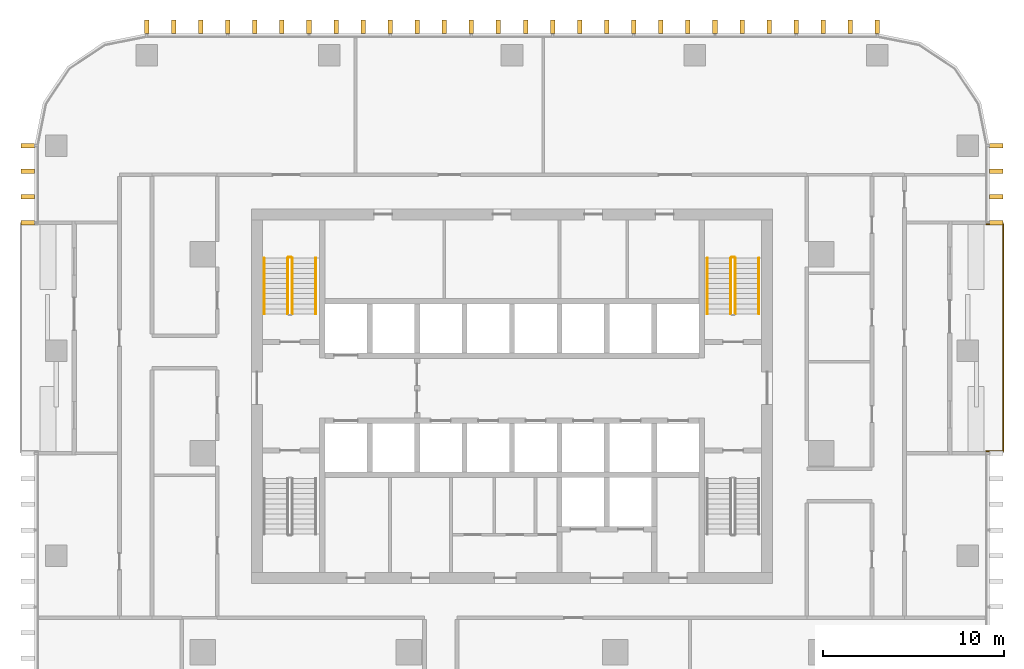
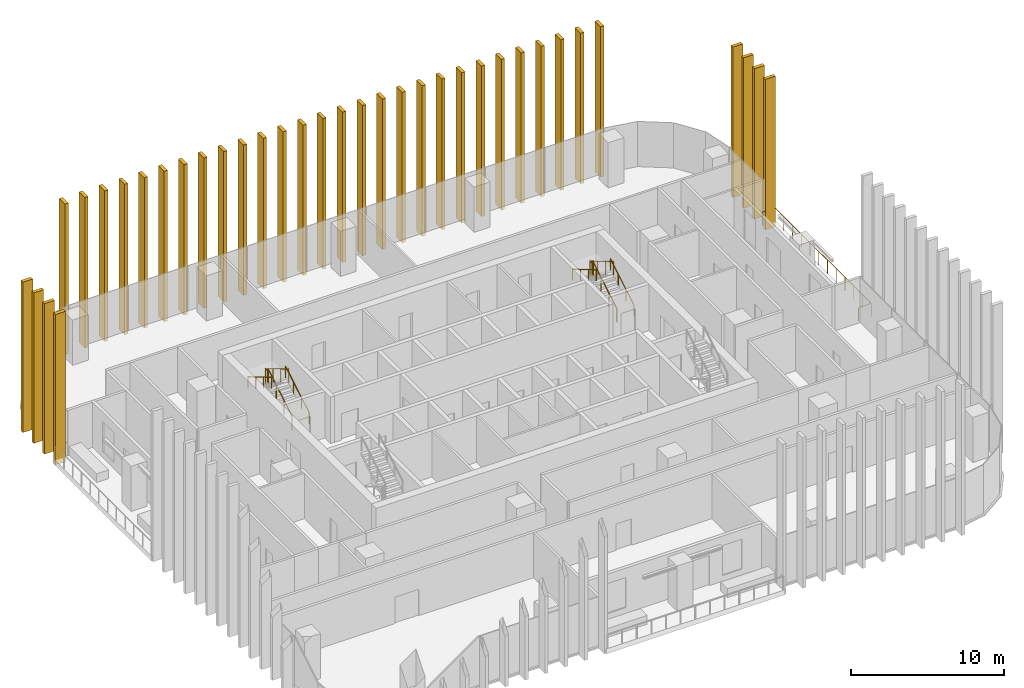
# One storey, part 15 of 15: 36 shading devices, 9 railings.
"""IFC4 building model written with IfcOpenShell, lengths in metres."""

import ifcopenshell
import ifcopenshell.guid

model = None  # the IFC model being written
_history = None  # IfcOwnerHistory: only IFC2X3 demands one
_inside = {}  # id of a spatial element -> (the spatial element, [elements in it])
_under = {}  # id of a project, library or spatial element -> (it, [spatial elements below it])
_declared = {}  # id of a project -> (the project, [libraries it declares])
_typed = {}  # id of a type object -> (the type object, [elements of that type])
_made_of = {}  # id of a material, layer set ... -> (it, [elements and type objects made of it])


def new_model(schema):
    """Start an empty IFC model of exactly this schema.

    Asked for "IFC4X3", IfcOpenShell would pick the latest addendum, in which some entities
    have other attributes; the version numbers below select the first issue.
    IFC2X3 requires an IfcOwnerHistory on every rooted entity: one is made here for all.
    """
    global model, _history
    if schema == "IFC4X3":
        model = ifcopenshell.file(schema_version=(4, 3, 0, 0))
    else:
        model = ifcopenshell.file(schema=schema)
    _inside.clear()
    _under.clear()
    _declared.clear()
    _typed.clear()
    _made_of.clear()
    _history = None
    if model.schema == "IFC2X3":
        org = make("IfcOrganization", Name="unknown")
        user = make(
            "IfcPersonAndOrganization",
            ThePerson=make("IfcPerson", FamilyName="unknown"),
            TheOrganization=org,
        )
        app = make(
            "IfcApplication",
            ApplicationDeveloper=org,
            Version="unknown",
            ApplicationFullName="unknown",
            ApplicationIdentifier="unknown",
        )
        _history = make(
            "IfcOwnerHistory",
            OwningUser=user,
            OwningApplication=app,
            ChangeAction="ADDED",
            CreationDate=0,
        )
    return model


def make(cls, **values):
    """One entity of the class cls with the attributes given. An attribute that is None is left unset."""
    return model.create_entity(
        cls, **{name: value for name, value in values.items() if value is not None}
    )


def rooted(cls, **values):
    """An entity with a GlobalId (a new one), such as an element, a storey or a relation."""
    return make(cls, GlobalId=ifcopenshell.guid.new(), OwnerHistory=_history, **values)


def si_unit(unit_type, name, prefix=None):
    """IfcSIUnit, for example si_unit("LENGTHUNIT", "METRE", prefix="MILLI")."""
    return make("IfcSIUnit", UnitType=unit_type, Prefix=prefix, Name=name)


def assignment(units):
    """IfcUnitAssignment: the units of a project."""
    return None if units is None else make("IfcUnitAssignment", Units=units)


def point(xyz):
    """IfcCartesianPoint."""
    return None if xyz is None else make("IfcCartesianPoint", Coordinates=xyz)


def direction(xyz):
    """IfcDirection."""
    return None if xyz is None else make("IfcDirection", DirectionRatios=xyz)


def frame(location, z_axis=None, x_axis=None):
    """IfcAxis2Placement3D, a coordinate frame: its origin and axes. An axis left out is left unset."""
    return make(
        "IfcAxis2Placement3D",
        Location=point(location),
        Axis=direction(z_axis),
        RefDirection=direction(x_axis),
    )


def frame_2d(location, x_axis=None):
    """IfcAxis2Placement2D, a coordinate frame in the plane: its origin and x axis."""
    return make(
        "IfcAxis2Placement2D", Location=point(location), RefDirection=direction(x_axis)
    )


def origin():
    """The frame at (0, 0, 0) with its axes left unset."""
    return frame((0.0, 0.0, 0.0))


def origin_2d():
    """The frame at (0, 0) in the plane with its x axis left unset."""
    return frame_2d((0.0, 0.0))


def place(relative_to, where):
    """IfcLocalPlacement: puts the frame where relative to a parent placement (None: the world)."""
    return make(
        "IfcLocalPlacement", PlacementRelTo=relative_to, RelativePlacement=where
    )


def context(
    kind, dimensions, precision=None, world=None, true_north=None, identifier=None
):
    """IfcGeometricRepresentationContext, for example the 3D "Model" context."""
    return make(
        "IfcGeometricRepresentationContext",
        ContextIdentifier=identifier,
        ContextType=kind,
        CoordinateSpaceDimension=dimensions,
        Precision=precision,
        WorldCoordinateSystem=world,
        TrueNorth=true_north,
    )


def subcontext(parent, identifier, kind, view, scale=None):
    """IfcGeometricRepresentationSubContext, for example "Body" below "Model"."""
    return make(
        "IfcGeometricRepresentationSubContext",
        ContextIdentifier=identifier,
        ContextType=kind,
        ParentContext=parent,
        TargetScale=scale,
        TargetView=view,
    )


def project(units=None, contexts=None):
    """IfcProject with its units and contexts."""
    return rooted(
        "IfcProject",
        Name="project",
        RepresentationContexts=contexts,
        UnitsInContext=assignment(units),
    )


def spatial(cls, under=None, at=None, **own):
    """A site, building, storey or space (cls), placed at a placement, below another one or the project."""
    s = rooted(cls, ObjectPlacement=at, **own)
    if under is not None:
        _under.setdefault(under.id(), (under, []))[1].append(s)
    return s


def profile(cls, at=None, kind="AREA", **sizes):
    """A parametric profile (cls). Its sizes go by their IFC names, for example OverallWidth=200.0."""
    return make(cls, ProfileType=kind, Position=at, **sizes)


def rectangle(**sizes):
    """IfcRectangleProfileDef."""
    return profile("IfcRectangleProfileDef", **sizes)


def circle(**sizes):
    """IfcCircleProfileDef."""
    return profile("IfcCircleProfileDef", **sizes)


def extrude(swept, where, along, depth):
    """IfcExtrudedAreaSolid: the profile swept, set in the frame where, extruded along a direction by depth."""
    return make(
        "IfcExtrudedAreaSolid",
        SweptArea=swept,
        Position=where,
        ExtrudedDirection=direction(along),
        Depth=depth,
    )


def shape(context_of_items, identifier, shape_type, items):
    """IfcShapeRepresentation: the items that make up one representation, for example the "Body"."""
    return make(
        "IfcShapeRepresentation",
        ContextOfItems=context_of_items,
        RepresentationIdentifier=identifier,
        RepresentationType=shape_type,
        Items=items,
    )


def material(Name=None, Category=None):
    """IfcMaterial."""
    return make("IfcMaterial", Name=Name, Category=Category)


def made_of(thing, what):
    """Note that an element or type object is made of a material, layer set ...; save() writes the relation."""
    if what is not None:
        _made_of.setdefault(what.id(), (what, []))[1].append(thing)
    return thing


def type_object(cls, material=None, **own):
    """A type object (cls), such as IfcWallType, which elements share."""
    return made_of(rooted(cls, **own), material)


def element(
    cls,
    number,
    at=None,
    inside=None,
    cuts=None,
    type_object=None,
    material=None,
    context=None,
    identifier="Body",
    shape_type=None,
    held_by="IfcProductDefinitionShape",
    body=None,
    shapes=None,
    **own,
):
    """One element of the class cls, such as IfcWall. Its Tag is "e" and its number.

    at: its placement. inside: the storey or other place that contains it. cuts: it is an
    opening in that element (IfcRelVoidsElement). A single representation is given by context,
    identifier, shape_type and body (its items); several are given by shapes. held_by: the class
    of the entity that holds the representations. save() writes the other relations.
    """
    e = rooted(cls, Tag="e%d" % number, ObjectPlacement=at, **own)
    if body is not None:
        shapes = [shape(context, identifier, shape_type, body)]
    if shapes is not None:
        e.Representation = make(held_by, Representations=shapes)
    if inside is not None:
        _inside.setdefault(inside.id(), (inside, []))[1].append(e)
    if cuts is not None:
        rooted(
            "IfcRelVoidsElement", RelatingBuildingElement=cuts, RelatedOpeningElement=e
        )
    if type_object is not None:
        _typed.setdefault(type_object.id(), (type_object, []))[1].append(e)
    return made_of(e, material)


def aggregate(whole, parts):
    """IfcRelAggregates: a whole, such as a stair, and the parts it consists of."""
    return rooted("IfcRelAggregates", RelatingObject=whole, RelatedObjects=parts)


def save(model, path):
    """Write the relations noted so far, then the file.

    IfcRelAggregates (storeys below a building ...), IfcRelContainedInSpatialStructure (elements
    in a storey), IfcRelDefinesByType, IfcRelAssociatesMaterial and IfcRelDeclares: one each for
    every whole, place, type object, material and project.
    """
    for whole, parts in _under.values():
        aggregate(whole, parts)
    for where, things in _inside.values():
        rooted(
            "IfcRelContainedInSpatialStructure",
            RelatedElements=things,
            RelatingStructure=where,
        )
    for kind, things in _typed.values():
        rooted("IfcRelDefinesByType", RelatedObjects=things, RelatingType=kind)
    for what, things in _made_of.values():
        rooted("IfcRelAssociatesMaterial", RelatedObjects=things, RelatingMaterial=what)
    for by, libraries in _declared.values():
        rooted("IfcRelDeclares", RelatingContext=by, RelatedDefinitions=libraries)
    model.write(path)


model = new_model("IFC4")

# Units and contexts
model_context = context("Model", 3, precision=1e-05, world=origin(), true_north=direction((0.0, 1.0)))
body_context = subcontext(model_context, "Body", "Model", "MODEL_VIEW")
ifc_project = project(units=[si_unit("LENGTHUNIT", "METRE"), si_unit("AREAUNIT", "SQUARE_METRE"), si_unit("VOLUMEUNIT", "CUBIC_METRE"), si_unit("PLANEANGLEUNIT", "RADIAN"), si_unit("MASSUNIT", "GRAM", prefix="KILO")], contexts=[model_context])

# Site, building, storey
site_placement = place(None, origin())
site = spatial("IfcSite", under=ifc_project, at=site_placement, CompositionType="ELEMENT")
building_placement = place(site_placement, origin())
building = spatial("IfcBuilding", under=site, at=building_placement, Name="Mopane Tessera Tower", CompositionType="ELEMENT")
storey_placement = place(building_placement, frame((0.0, 0.0, 169.0)))
storey = spatial("IfcBuildingStorey", under=building, at=storey_placement, Name="L34", CompositionType="ELEMENT", Elevation=169.0)

# Shading devices
ifc_material_1 = material(Name="Glazed ceramic tile")
shading_device_type = type_object("IfcShadingDeviceType", Name="Ceramic tile fin 750 x 250 mm", PredefinedType="USERDEFINED", material=ifc_material_1)
for number, where, z_axis, x_axis, name in (
    (1, (26.77490234375, 12.75, -0.39990234375), (0.0, 0.0, 1.0), (0.0, 1.0, 0.0), "e:fin:L34:E:7:0"),
    (2, (26.77490234375, 14.166748046875, -0.39990234375), (0.0, 0.0, 1.0), (0.0, 1.0, 0.0), "e:fin:L34:E:7:1"),
    (3, (26.77490234375, 15.583251953125, -0.39990234375), (0.0, 0.0, 1.0), (0.0, 1.0, 0.0), "e:fin:L34:E:7:2"),
    (4, (26.77490234375, 17.0, -0.39990234375), (0.0, 0.0, 1.0), (0.0, 1.0, 0.0), "e:fin:L34:E:7:3"),
    (5, (20.199951171875, 23.574951171875, -0.39990234375), (0.0, 0.0, 1.0), (-1.0, 0.0, 0.0), "e:fin:L34:N:0:0"),
    (6, (18.70361328125, 23.574951171875, -0.39990234375), (0.0, 0.0, 1.0), (-1.0, 0.0, 0.0), "e:fin:L34:N:0:1"),
    (7, (17.20751953125, 23.574951171875, -0.39990234375), (0.0, 0.0, 1.0), (-1.0, 0.0, 0.0), "e:fin:L34:N:0:2"),
    (8, (15.711181640625, 23.574951171875, -0.39990234375), (0.0, 0.0, 1.0), (-1.0, 0.0, 0.0), "e:fin:L34:N:1:0"),
    (9, (14.21484375, 23.574951171875, -0.39990234375), (0.0, 0.0, 1.0), (-1.0, 0.0, 0.0), "e:fin:L34:N:1:1"),
    (10, (12.718505859375, 23.574951171875, -0.39990234375), (0.0, 0.0, 1.0), (-1.0, 0.0, 0.0), "e:fin:L34:N:1:2"),
    (11, (11.22216796875, 23.574951171875, -0.39990234375), (0.0, 0.0, 1.0), (-1.0, 0.0, 0.0), "e:fin:L34:N:2:0"),
    (12, (9.725830078125, 23.574951171875, -0.39990234375), (0.0, 0.0, 1.0), (-1.0, 0.0, 0.0), "e:fin:L34:N:2:1"),
    (13, (8.229736328125, 23.574951171875, -0.39990234375), (0.0, 0.0, 1.0), (-1.0, 0.0, 0.0), "e:fin:L34:N:2:2"),
    (14, (6.7333984375, 23.574951171875, -0.39990234375), (0.0, 0.0, 1.0), (-1.0, 0.0, 0.0), "e:fin:L34:N:3:0"),
    (15, (5.237060546875, 23.574951171875, -0.39990234375), (0.0, 0.0, 1.0), (-1.0, 0.0, 0.0), "e:fin:L34:N:3:1"),
    (16, (3.74072265625, 23.574951171875, -0.39990234375), (0.0, 0.0, 1.0), (-1.0, 0.0, 0.0), "e:fin:L34:N:3:2"),
    (17, (2.244384765625, 23.574951171875, -0.39990234375), (0.0, 0.0, 1.0), (-1.0, 0.0, 0.0), "e:fin:L34:N:4:0"),
    (18, (0.748046875, 23.574951171875, -0.39990234375), (0.0, 0.0, 1.0), (-1.0, 0.0, 0.0), "e:fin:L34:N:4:1"),
    (19, (-0.748046875, 23.574951171875, -0.39990234375), (0.0, 0.0, 1.0), (-1.0, 0.0, 0.0), "e:fin:L34:N:4:2"),
    (20, (-2.244384765625, 23.574951171875, -0.39990234375), (0.0, 0.0, 1.0), (-1.0, 0.0, 0.0), "e:fin:L34:N:5:0"),
    (21, (-3.74072265625, 23.574951171875, -0.39990234375), (0.0, 0.0, 1.0), (-1.0, 0.0, 0.0), "e:fin:L34:N:5:1"),
    (22, (-5.237060546875, 23.574951171875, -0.39990234375), (0.0, 0.0, 1.0), (-1.0, 0.0, 0.0), "e:fin:L34:N:5:2"),
    (23, (-6.7333984375, 23.574951171875, -0.39990234375), (0.0, 0.0, 1.0), (-1.0, 0.0, 0.0), "e:fin:L34:N:6:0"),
    (24, (-8.229736328125, 23.574951171875, -0.39990234375), (0.0, 0.0, 1.0), (-1.0, 0.0, 0.0), "e:fin:L34:N:6:1"),
    (25, (-9.725830078125, 23.574951171875, -0.39990234375), (0.0, 0.0, 1.0), (-1.0, 0.0, 0.0), "e:fin:L34:N:6:2"),
    (26, (-11.22216796875, 23.574951171875, -0.39990234375), (0.0, 0.0, 1.0), (-1.0, 0.0, 0.0), "e:fin:L34:N:7:0"),
    (27, (-12.718505859375, 23.574951171875, -0.39990234375), (0.0, 0.0, 1.0), (-1.0, 0.0, 0.0), "e:fin:L34:N:7:1"),
    (28, (-14.21484375, 23.574951171875, -0.39990234375), (0.0, 0.0, 1.0), (-1.0, 0.0, 0.0), "e:fin:L34:N:7:2"),
    (29, (-15.711181640625, 23.574951171875, -0.39990234375), (0.0, 0.0, 1.0), (-1.0, 0.0, 0.0), "e:fin:L34:N:8:0"),
    (30, (-17.20751953125, 23.574951171875, -0.39990234375), (0.0, 0.0, 1.0), (-1.0, 0.0, 0.0), "e:fin:L34:N:8:1"),
    (31, (-18.70361328125, 23.574951171875, -0.39990234375), (0.0, 0.0, 1.0), (-1.0, 0.0, 0.0), "e:fin:L34:N:8:2"),
    (32, (-20.199951171875, 23.574951171875, -0.39990234375), (0.0, 0.0, 1.0), (-1.0, 0.0, 0.0), "e:fin:L34:N:8:3"),
    (33, (-26.77490234375, 17.0, -0.39990234375), (0.0, 0.0, 1.0), (0.0, -1.0, 0.0), "e:fin:L34:W:0:0"),
    (34, (-26.77490234375, 15.583251953125, -0.39990234375), (0.0, 0.0, 1.0), (0.0, -1.0, 0.0), "e:fin:L34:W:0:1"),
    (35, (-26.77490234375, 14.166748046875, -0.39990234375), (0.0, 0.0, 1.0), (0.0, -1.0, 0.0), "e:fin:L34:W:0:2"),
    (36, (-26.77490234375, 12.75, -0.39990234375), (0.0, 0.0, 1.0), (0.0, -1.0, 0.0), "e:fin:L34:W:0:3"),
):
    element("IfcShadingDevice", number, at=place(storey_placement, frame(where, z_axis=z_axis, x_axis=x_axis)), inside=storey, type_object=shading_device_type, Name=name, ObjectType="FIN", PredefinedType="USERDEFINED", context=body_context, shape_type="SweptSolid", body=[
        extrude(rectangle(XDim=0.25, YDim=0.75, at=origin_2d()), origin(), (0.0, 0.0, 1.0), 12.0),
    ])

# Railings
ifc_material_2 = material(Name="Powder-coated steel balustrade", Category="steel")
railing_type_1 = type_object("IfcRailingType", Name="Escape stair guard 1100 mm", PredefinedType="GUARDRAIL", material=ifc_material_2)
railing_1_placement = place(storey_placement, frame((-12.14990234375, 7.699951171875, 0.166748046875)))
element("IfcRailing", 37, at=railing_1_placement, inside=storey, type_object=railing_type_1, Name="L34 ST2 stair guard 1", PredefinedType="GUARDRAIL", context=body_context, shape_type="SweptSolid", body=[
    extrude(circle(Radius=0.02392578125, at=origin_2d()), frame((0.0, 0.0, 1.076171875), z_axis=(0.0, 0.859308565015, 0.511457515432), x_axis=(-1.0, 0.0, 0.0)), (0.0, 0.0, 1.0), 3.58447265625),
    extrude(circle(Radius=0.02392578125, at=origin_2d()), frame((0.0, 3.080078125, 2.9091796875), z_axis=(-0.707106781187, 0.707106781187, 0.0), x_axis=(-0.707106781187, -0.707106781187, 0.0)), (0.0, 0.0, 1.0), 0.07080078125),
    extrude(circle(Radius=0.02392578125, at=origin_2d()), frame((-0.050048828125, 3.130126953125, 2.9091796875), z_axis=(-1.0, 0.0, 0.0), x_axis=(0.0, -1.0, 0.0)), (0.0, 0.0, 1.0), 0.150146484375),
    extrude(circle(Radius=0.02099609375, at=origin_2d()), origin(), (0.0, 0.0, 1.0), 1.052001953125),
    extrude(circle(Radius=0.02099609375, at=origin_2d()), frame((0.0, 1.026611328125, 0.611083984375)), (0.0, 0.0, 1.0), 1.052001953125),
    extrude(circle(Radius=0.02099609375, at=origin_2d()), frame((0.0, 2.053466796875, 1.22216796875)), (0.0, 0.0, 1.0), 1.052001953125),
    extrude(circle(Radius=0.02099609375, at=origin_2d()), frame((0.0, 3.080078125, 1.833251953125)), (0.0, 0.0, 1.0), 1.052001953125),
    extrude(circle(Radius=0.02099609375, at=origin_2d()), frame((-0.050048828125, 3.130126953125, 1.833251953125)), (0.0, 0.0, 1.0), 1.052001953125),
    extrude(circle(Radius=0.02099609375, at=origin_2d()), frame((-0.2001953125, 3.130126953125, 1.833251953125)), (0.0, 0.0, 1.0), 1.052001953125),
])
railing_2_placement = place(storey_placement, frame((-12.39990234375, 10.780029296875, 2.166748046875)))
element("IfcRailing", 38, at=railing_2_placement, inside=storey, type_object=railing_type_1, Name="L34 ST2 stair guard 2", PredefinedType="GUARDRAIL", context=body_context, shape_type="SweptSolid", body=[
    extrude(circle(Radius=0.02392578125, at=origin_2d()), frame((0.0, 0.0, 1.076171875), z_axis=(0.0, -0.859308565015, 0.511457515432), x_axis=(1.0, 0.0, 0.0)), (0.0, 0.0, 1.0), 3.58447265625),
    extrude(circle(Radius=0.02099609375, at=origin_2d()), origin(), (0.0, 0.0, 1.0), 1.052001953125),
    extrude(circle(Radius=0.02099609375, at=origin_2d()), frame((0.0, -1.026611328125, 0.611083984375)), (0.0, 0.0, 1.0), 1.052001953125),
    extrude(circle(Radius=0.02099609375, at=origin_2d()), frame((0.0, -2.053466796875, 1.22216796875)), (0.0, 0.0, 1.0), 1.052001953125),
    extrude(circle(Radius=0.02099609375, at=origin_2d()), frame((0.0, -3.080078125, 1.833251953125)), (0.0, 0.0, 1.0), 1.052001953125),
])
railing_3_placement = place(storey_placement, frame((12.35009765625, 7.699951171875, 0.166748046875)))
element("IfcRailing", 39, at=railing_3_placement, inside=storey, type_object=railing_type_1, Name="L34 ST4 stair guard 1", PredefinedType="GUARDRAIL", context=body_context, shape_type="SweptSolid", body=[
    extrude(circle(Radius=0.02392578125, at=origin_2d()), frame((0.0, 0.0, 1.076171875), z_axis=(0.0, 0.859308565015, 0.511457515432), x_axis=(-1.0, 0.0, 0.0)), (0.0, 0.0, 1.0), 3.58447265625),
    extrude(circle(Radius=0.02392578125, at=origin_2d()), frame((0.0, 3.080078125, 2.9091796875), z_axis=(-0.707106781187, 0.707106781187, 0.0), x_axis=(-0.707106781187, -0.707106781187, 0.0)), (0.0, 0.0, 1.0), 0.07080078125),
    extrude(circle(Radius=0.02392578125, at=origin_2d()), frame((-0.050048828125, 3.130126953125, 2.9091796875), z_axis=(-1.0, 0.0, 0.0), x_axis=(0.0, -1.0, 0.0)), (0.0, 0.0, 1.0), 0.150146484375),
    extrude(circle(Radius=0.02099609375, at=origin_2d()), origin(), (0.0, 0.0, 1.0), 1.052001953125),
    extrude(circle(Radius=0.02099609375, at=origin_2d()), frame((0.0, 1.026611328125, 0.611083984375)), (0.0, 0.0, 1.0), 1.052001953125),
    extrude(circle(Radius=0.02099609375, at=origin_2d()), frame((0.0, 2.053466796875, 1.22216796875)), (0.0, 0.0, 1.0), 1.052001953125),
    extrude(circle(Radius=0.02099609375, at=origin_2d()), frame((0.0, 3.080078125, 1.833251953125)), (0.0, 0.0, 1.0), 1.052001953125),
    extrude(circle(Radius=0.02099609375, at=origin_2d()), frame((-0.050048828125, 3.130126953125, 1.833251953125)), (0.0, 0.0, 1.0), 1.052001953125),
    extrude(circle(Radius=0.02099609375, at=origin_2d()), frame((-0.2001953125, 3.130126953125, 1.833251953125)), (0.0, 0.0, 1.0), 1.052001953125),
])
railing_4_placement = place(storey_placement, frame((12.10009765625, 10.780029296875, 2.166748046875)))
element("IfcRailing", 40, at=railing_4_placement, inside=storey, type_object=railing_type_1, Name="L34 ST4 stair guard 2", PredefinedType="GUARDRAIL", context=body_context, shape_type="SweptSolid", body=[
    extrude(circle(Radius=0.02392578125, at=origin_2d()), frame((0.0, 0.0, 1.076171875), z_axis=(0.0, -0.859308565015, 0.511457515432), x_axis=(1.0, 0.0, 0.0)), (0.0, 0.0, 1.0), 3.58447265625),
    extrude(circle(Radius=0.02099609375, at=origin_2d()), origin(), (0.0, 0.0, 1.0), 1.052001953125),
    extrude(circle(Radius=0.02099609375, at=origin_2d()), frame((0.0, -1.026611328125, 0.611083984375)), (0.0, 0.0, 1.0), 1.052001953125),
    extrude(circle(Radius=0.02099609375, at=origin_2d()), frame((0.0, -2.053466796875, 1.22216796875)), (0.0, 0.0, 1.0), 1.052001953125),
    extrude(circle(Radius=0.02099609375, at=origin_2d()), frame((0.0, -3.080078125, 1.833251953125)), (0.0, 0.0, 1.0), 1.052001953125),
])
ifc_material_3 = material(Name="Powder-coated steel balustrade", Category="steel")
railing_type_2 = type_object("IfcRailingType", Name="Escape stair handrail 900 mm", PredefinedType="HANDRAIL", material=ifc_material_3)
railing_5_placement = place(storey_placement, frame((-10.85009765625, 7.699951171875, 0.166748046875)))
element("IfcRailing", 41, at=railing_5_placement, inside=storey, type_object=railing_type_2, Name="L34 ST2 stair handrail 1", PredefinedType="HANDRAIL", context=body_context, shape_type="SweptSolid", body=[
    extrude(circle(Radius=0.02392578125, at=origin_2d()), frame((0.0, 0.0, 0.8759765625), z_axis=(0.0, 0.859308565015, 0.511457515432), x_axis=(-1.0, 0.0, 0.0)), (0.0, 0.0, 1.0), 3.58447265625),
    extrude(circle(Radius=0.02099609375, at=origin_2d()), origin(), (0.0, 0.0, 1.0), 0.851806640625),
    extrude(circle(Radius=0.02099609375, at=origin_2d()), frame((0.0, 1.026611328125, 0.611083984375)), (0.0, 0.0, 1.0), 0.851806640625),
    extrude(circle(Radius=0.02099609375, at=origin_2d()), frame((0.0, 2.053466796875, 1.22216796875)), (0.0, 0.0, 1.0), 0.851806640625),
    extrude(circle(Radius=0.02099609375, at=origin_2d()), frame((0.0, 3.080078125, 1.833251953125)), (0.0, 0.0, 1.0), 0.851806640625),
])
railing_6_placement = place(storey_placement, frame((-13.699951171875, 10.780029296875, 2.166748046875)))
element("IfcRailing", 42, at=railing_6_placement, inside=storey, type_object=railing_type_2, Name="L34 ST2 stair handrail 2", PredefinedType="HANDRAIL", context=body_context, shape_type="SweptSolid", body=[
    extrude(circle(Radius=0.02392578125, at=origin_2d()), frame((0.0, 0.0, 0.8759765625), z_axis=(0.0, -0.859308565015, 0.511457515432), x_axis=(1.0, 0.0, 0.0)), (0.0, 0.0, 1.0), 3.58447265625),
    extrude(circle(Radius=0.02099609375, at=origin_2d()), origin(), (0.0, 0.0, 1.0), 0.851806640625),
    extrude(circle(Radius=0.02099609375, at=origin_2d()), frame((0.0, -1.026611328125, 0.611083984375)), (0.0, 0.0, 1.0), 0.851806640625),
    extrude(circle(Radius=0.02099609375, at=origin_2d()), frame((0.0, -2.053466796875, 1.22216796875)), (0.0, 0.0, 1.0), 0.851806640625),
    extrude(circle(Radius=0.02099609375, at=origin_2d()), frame((0.0, -3.080078125, 1.833251953125)), (0.0, 0.0, 1.0), 0.851806640625),
])
railing_7_placement = place(storey_placement, frame((13.64990234375, 7.699951171875, 0.166748046875)))
element("IfcRailing", 43, at=railing_7_placement, inside=storey, type_object=railing_type_2, Name="L34 ST4 stair handrail 1", PredefinedType="HANDRAIL", context=body_context, shape_type="SweptSolid", body=[
    extrude(circle(Radius=0.02392578125, at=origin_2d()), frame((0.0, 0.0, 0.8759765625), z_axis=(0.0, 0.859308565015, 0.511457515432), x_axis=(-1.0, 0.0, 0.0)), (0.0, 0.0, 1.0), 3.58447265625),
    extrude(circle(Radius=0.02099609375, at=origin_2d()), origin(), (0.0, 0.0, 1.0), 0.851806640625),
    extrude(circle(Radius=0.02099609375, at=origin_2d()), frame((0.0, 1.026611328125, 0.611083984375)), (0.0, 0.0, 1.0), 0.851806640625),
    extrude(circle(Radius=0.02099609375, at=origin_2d()), frame((0.0, 2.053466796875, 1.22216796875)), (0.0, 0.0, 1.0), 0.851806640625),
    extrude(circle(Radius=0.02099609375, at=origin_2d()), frame((0.0, 3.080078125, 1.833251953125)), (0.0, 0.0, 1.0), 0.851806640625),
])
railing_8_placement = place(storey_placement, frame((10.800048828125, 10.780029296875, 2.166748046875)))
element("IfcRailing", 44, at=railing_8_placement, inside=storey, type_object=railing_type_2, Name="L34 ST4 stair handrail 2", PredefinedType="HANDRAIL", context=body_context, shape_type="SweptSolid", body=[
    extrude(circle(Radius=0.02392578125, at=origin_2d()), frame((0.0, 0.0, 0.8759765625), z_axis=(0.0, -0.859308565015, 0.511457515432), x_axis=(1.0, 0.0, 0.0)), (0.0, 0.0, 1.0), 3.58447265625),
    extrude(circle(Radius=0.02099609375, at=origin_2d()), origin(), (0.0, 0.0, 1.0), 0.851806640625),
    extrude(circle(Radius=0.02099609375, at=origin_2d()), frame((0.0, -1.026611328125, 0.611083984375)), (0.0, 0.0, 1.0), 0.851806640625),
    extrude(circle(Radius=0.02099609375, at=origin_2d()), frame((0.0, -2.053466796875, 1.22216796875)), (0.0, 0.0, 1.0), 0.851806640625),
    extrude(circle(Radius=0.02099609375, at=origin_2d()), frame((0.0, -3.080078125, 1.833251953125)), (0.0, 0.0, 1.0), 0.851806640625),
])
ifc_material_4 = material(Name="Stainless steel S316", Category="steel")
railing_type_3 = type_object("IfcRailingType", Name="Terrace guard 1100", PredefinedType="GUARDRAIL", material=ifc_material_4)
railing_9_placement = place(storey_placement, frame((26.199951171875, 0.10009765625, 0.0)))
element("IfcRailing", 45, at=railing_9_placement, inside=storey, type_object=railing_type_3, Name="e:nw:L34:N3:guard", PredefinedType="GUARDRAIL", context=body_context, shape_type="SweptSolid", body=[
    extrude(circle(Radius=0.02392578125, at=origin_2d()), frame((0.0, 0.0, 1.076171875), z_axis=(1.0, 0.0, 0.0), x_axis=(0.0, 1.0, 0.0)), (0.0, 0.0, 1.0), 0.949951171875),
    extrude(circle(Radius=0.02392578125, at=origin_2d()), frame((0.949951171875, 0.0, 1.076171875), z_axis=(0.0, 1.0, 0.0), x_axis=(-1.0, 0.0, 0.0)), (0.0, 0.0, 1.0), 12.5498046875),
    extrude(circle(Radius=0.02392578125, at=origin_2d()), frame((0.949951171875, 12.5498046875, 1.076171875), z_axis=(-1.0, 0.0, 0.0), x_axis=(0.0, -1.0, 0.0)), (0.0, 0.0, 1.0), 0.949951171875),
    extrude(circle(Radius=0.02099609375, at=origin_2d()), origin(), (0.0, 0.0, 1.0), 1.052001953125),
    extrude(circle(Radius=0.02099609375, at=origin_2d()), frame((0.949951171875, 0.0, 0.0)), (0.0, 0.0, 1.0), 1.052001953125),
    extrude(circle(Radius=0.02099609375, at=origin_2d()), frame((0.949951171875, 1.140869140625, 0.0)), (0.0, 0.0, 1.0), 1.052001953125),
    extrude(circle(Radius=0.02099609375, at=origin_2d()), frame((0.949951171875, 2.28173828125, 0.0)), (0.0, 0.0, 1.0), 1.052001953125),
    extrude(circle(Radius=0.02099609375, at=origin_2d()), frame((0.949951171875, 3.422607421875, 0.0)), (0.0, 0.0, 1.0), 1.052001953125),
    extrude(circle(Radius=0.02099609375, at=origin_2d()), frame((0.949951171875, 4.5634765625, 0.0)), (0.0, 0.0, 1.0), 1.052001953125),
    extrude(circle(Radius=0.02099609375, at=origin_2d()), frame((0.949951171875, 5.704345703125, 0.0)), (0.0, 0.0, 1.0), 1.052001953125),
    extrude(circle(Radius=0.02099609375, at=origin_2d()), frame((0.949951171875, 6.845458984375, 0.0)), (0.0, 0.0, 1.0), 1.052001953125),
    extrude(circle(Radius=0.02099609375, at=origin_2d()), frame((0.949951171875, 7.986328125, 0.0)), (0.0, 0.0, 1.0), 1.052001953125),
    extrude(circle(Radius=0.02099609375, at=origin_2d()), frame((0.949951171875, 9.127197265625, 0.0)), (0.0, 0.0, 1.0), 1.052001953125),
    extrude(circle(Radius=0.02099609375, at=origin_2d()), frame((0.949951171875, 10.26806640625, 0.0)), (0.0, 0.0, 1.0), 1.052001953125),
    extrude(circle(Radius=0.02099609375, at=origin_2d()), frame((0.949951171875, 11.408935546875, 0.0)), (0.0, 0.0, 1.0), 1.052001953125),
    extrude(circle(Radius=0.02099609375, at=origin_2d()), frame((0.949951171875, 12.5498046875, 0.0)), (0.0, 0.0, 1.0), 1.052001953125),
    extrude(circle(Radius=0.02099609375, at=origin_2d()), frame((0.0, 12.5498046875, 0.0)), (0.0, 0.0, 1.0), 1.052001953125),
])

save(model, "model.ifc")
